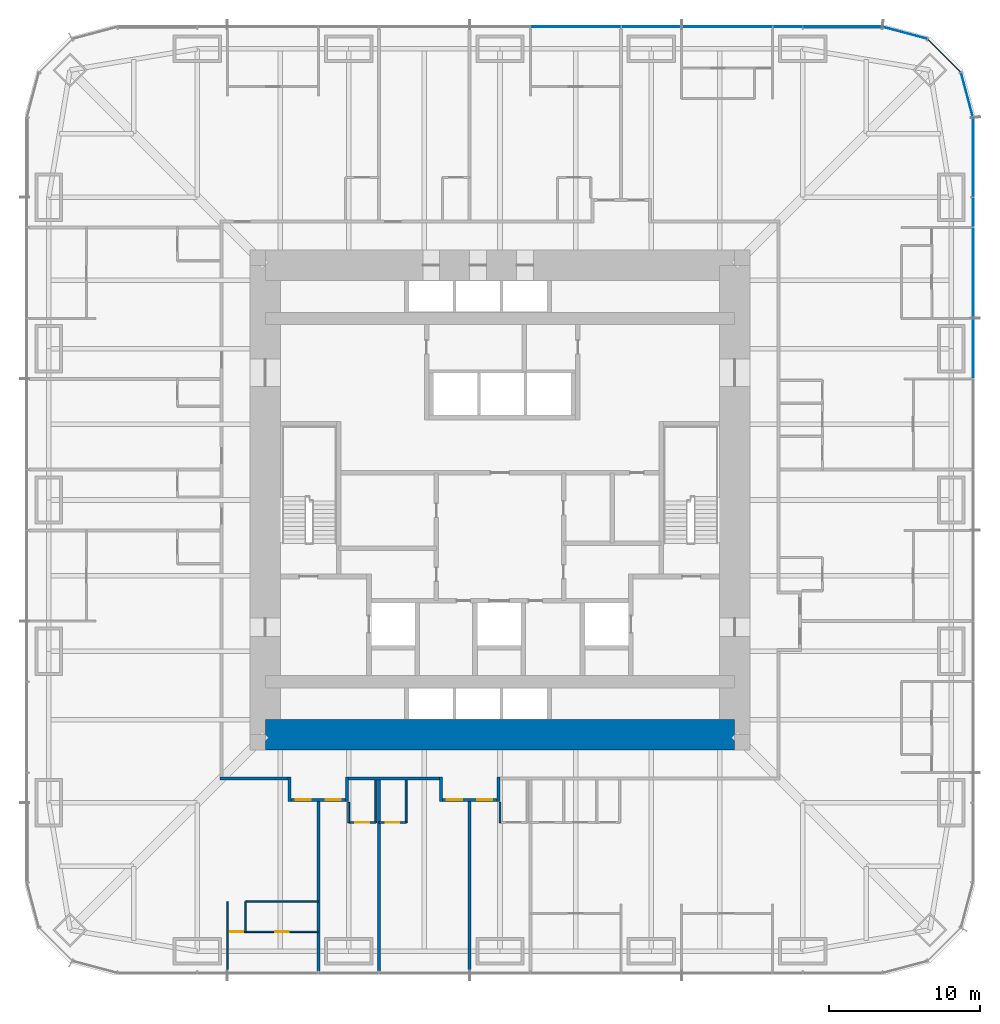
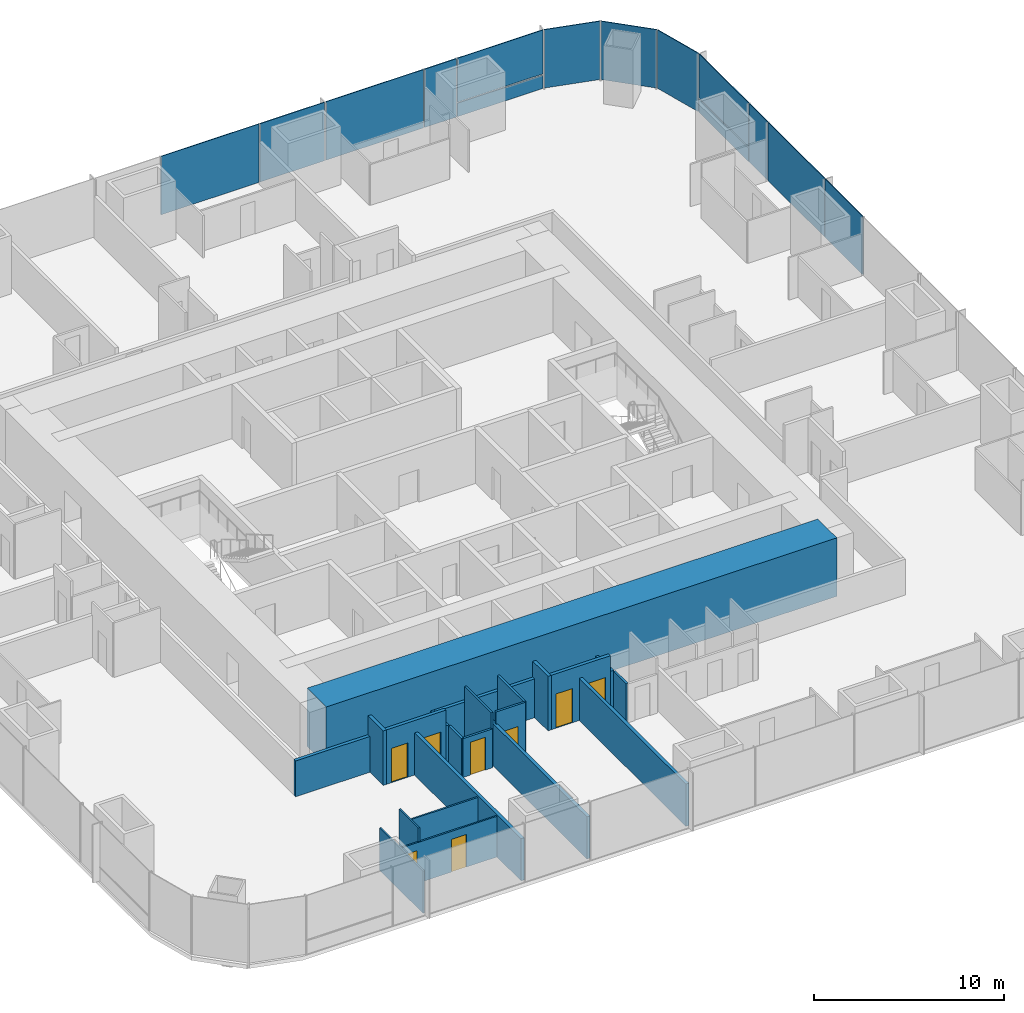
# One storey, part 11 of 16: 22 walls, 14 plates, 8 doors, 8 openings, 3 elements without a shape of their own.
"""IFC4 building model written with IfcOpenShell, lengths in metres."""

from ifc_helpers import new_model, si_unit, direction, frame, frame_2d, origin, origin_2d, place, context, subcontext, project, spatial, rectangle, extrude, material, layer, layer_set, type_object, element, fill, aggregate, save


model = new_model("IFC4")

# Units and contexts
model_context = context("Model", 3, precision=1e-05, world=origin(), true_north=direction((0.0, 1.0)))
body_context = subcontext(model_context, "Body", "Model", "MODEL_VIEW")
ifc_project = project(units=[si_unit("LENGTHUNIT", "METRE"), si_unit("AREAUNIT", "SQUARE_METRE"), si_unit("VOLUMEUNIT", "CUBIC_METRE"), si_unit("PLANEANGLEUNIT", "RADIAN"), si_unit("MASSUNIT", "GRAM", prefix="KILO")], contexts=[model_context])

# Site, building, storey
site_placement = place(None, origin())
site = spatial("IfcSite", under=ifc_project, at=site_placement, CompositionType="ELEMENT")
building_placement = place(site_placement, origin())
building = spatial("IfcBuilding", under=site, at=building_placement, Name="Khuree Lantern Residences", CompositionType="ELEMENT")
storey_placement = place(building_placement, frame((0.0, 0.0, 66.0)))
storey = spatial("IfcBuildingStorey", under=building, at=storey_placement, Name="L16", CompositionType="ELEMENT", Elevation=66.0)

# Curtain wall, plates
ifc_material_1 = material(Name="Bronze anodised aluminium", Category="aluminium")
curtain_wall_type_1 = type_object("IfcCurtainWallType", Name="CW-T2 TOWER CORNER CURTAIN WALL", PredefinedType="USERDEFINED", material=ifc_material_1)
curtain_wall_1_placement = place(storey_placement, origin())
curtain_wall_1 = element("IfcCurtainWall", 1, at=curtain_wall_1_placement, inside=storey, type_object=curtain_wall_type_1, Name="L16 NORTH-EAST CORNER CURTAIN WALL", ObjectType="Faceted corner curtain wall", PredefinedType="USERDEFINED")
ifc_material_2 = material(Name="Bronze tinted triple glazing", Category="glass")
ifc_layer_1 = layer(ifc_material_2, 0.048095703125)
ifc_layer_set_1 = layer_set([ifc_layer_1], Name="FACET PANEL P4")
plate_type_1 = type_object("IfcPlateType", Name="FACET PANEL P4", PredefinedType="CURTAIN_PANEL", material=ifc_layer_set_1)
plate_1_placement = place(storey_placement, frame((30.8486328125, 26.748046875, 0.0), z_axis=(0.0, 0.0, 1.0), x_axis=(-0.258819172081, 0.965925792265, 0.0)))
plate_1 = element("IfcPlate", 2, at=plate_1_placement, type_object=plate_type_1, Name="L16 NORTH-EAST CORNER PANEL 15.1", PredefinedType="CURTAIN_PANEL", context=body_context, shape_type="SweptSolid", body=[
    extrude(rectangle(XDim=3.02978515625, YDim=0.048095703125, at=origin_2d()), origin(), (0.0, 0.0, 1.0), 3.75),
])
plate_2_placement = place(storey_placement, frame((29.34814453125, 29.34814453125, 0.0), z_axis=(0.0, 0.0, 1.0), x_axis=(-0.707106781187, 0.707106781187, 0.0)))
plate_2 = element("IfcPlate", 3, at=plate_2_placement, type_object=plate_type_1, Name="L16 NORTH-EAST CORNER PANEL 16.1", PredefinedType="CURTAIN_PANEL", context=body_context, shape_type="SweptSolid", body=[
    extrude(rectangle(XDim=3.025634765625, YDim=0.048095703125, at=origin_2d()), origin(), (0.0, 0.0, 1.0), 3.75),
])
plate_3_placement = place(storey_placement, frame((26.748046875, 30.8486328125, 0.0), z_axis=(0.0, 0.0, 1.0), x_axis=(-0.965925792265, 0.258819172081, 0.0)))
plate_3 = element("IfcPlate", 4, at=plate_3_placement, type_object=plate_type_1, Name="L16 NORTH-EAST CORNER PANEL 17.1", PredefinedType="CURTAIN_PANEL", context=body_context, shape_type="SweptSolid", body=[
    extrude(rectangle(XDim=3.02978515625, YDim=0.048095703125, at=origin_2d()), origin(), (0.0, 0.0, 1.0), 3.75),
])
aggregate(curtain_wall_1, [plate_1, plate_2, plate_3])

# Curtain wall, plate
curtain_wall_type_2 = type_object("IfcCurtainWallType", Name="CW-T1 TOWER FACE CURTAIN WALL", PredefinedType="USERDEFINED", material=ifc_material_1)
curtain_wall_2_placement = place(storey_placement, origin())
curtain_wall_2 = element("IfcCurtainWall", 5, at=curtain_wall_2_placement, inside=storey, type_object=curtain_wall_type_2, Name="L16 EAST FACE CURTAIN WALL", ObjectType="Stick-built curtain wall", PredefinedType="USERDEFINED")
ifc_material_3 = material(Name="Bronze tinted triple glazing with a ceramic-fritted spandrel band", Category="glass")
ifc_layer_2 = layer(ifc_material_3, 0.048095703125)
ifc_layer_set_2 = layer_set([ifc_layer_2], Name="FIXED LIGHT PANEL P11")
plate_type_2 = type_object("IfcPlateType", Name="FIXED LIGHT PANEL P11", PredefinedType="CURTAIN_PANEL", material=ifc_layer_set_2)
plate_4_placement = place(storey_placement, frame((31.25, 15.0, 0.0), z_axis=(0.0, 0.0, 1.0), x_axis=(0.0, 1.0, 0.0)))
plate_4 = element("IfcPlate", 6, at=plate_4_placement, type_object=plate_type_2, Name="L16 EAST FACE PANEL 12.1", PredefinedType="CURTAIN_PANEL", context=body_context, shape_type="SweptSolid", body=[
    extrude(rectangle(XDim=5.93505859375, YDim=0.048095703125, at=origin_2d()), origin(), (0.0, 0.0, 1.0), 3.75),
])

# Curtain wall, plates
curtain_wall_3_placement = place(storey_placement, origin())
curtain_wall_3 = element("IfcCurtainWall", 7, at=curtain_wall_3_placement, inside=storey, type_object=curtain_wall_type_2, Name="L16 NORTH FACE CURTAIN WALL", ObjectType="Stick-built curtain wall", PredefinedType="USERDEFINED")
plate_5_placement = place(storey_placement, frame((15.0, 31.25, 0.0), z_axis=(0.0, 0.0, 1.0), x_axis=(-1.0, 0.0, 0.0)))
plate_5 = element("IfcPlate", 8, at=plate_5_placement, type_object=plate_type_2, Name="L16 NORTH FACE PANEL 20.1", PredefinedType="CURTAIN_PANEL", context=body_context, shape_type="SweptSolid", body=[
    extrude(rectangle(XDim=5.93505859375, YDim=0.048095703125, at=origin_2d()), origin(), (0.0, 0.0, 1.0), 3.75),
])
plate_6_placement = place(storey_placement, frame((5.0, 31.25, 0.0), z_axis=(0.0, 0.0, 1.0), x_axis=(-1.0, 0.0, 0.0)))
plate_6 = element("IfcPlate", 9, at=plate_6_placement, type_object=plate_type_2, Name="L16 NORTH FACE PANEL 22.1", PredefinedType="CURTAIN_PANEL", context=body_context, shape_type="SweptSolid", body=[
    extrude(rectangle(XDim=5.93505859375, YDim=0.048095703125, at=origin_2d()), origin(), (0.0, 0.0, 1.0), 3.75),
])

# Plate
ifc_material_4 = material(Name="Bronze tinted triple glazing, two aluminium-framed sashes in one frame", Category="aluminium")
ifc_layer_3 = layer(ifc_material_4, 0.048095703125)
ifc_layer_set_3 = layer_set([ifc_layer_3], Name="SASH PAIR PANEL P12")
plate_type_3 = type_object("IfcPlateType", Name="SASH PAIR PANEL P12", PredefinedType="CURTAIN_PANEL", material=ifc_layer_set_3)
plate_7_placement = place(storey_placement, frame((31.25, 10.0, 0.0), z_axis=(0.0, 0.0, 1.0), x_axis=(0.0, 1.0, 0.0)))
plate_7 = element("IfcPlate", 10, at=plate_7_placement, type_object=plate_type_3, Name="L16 EAST FACE PANEL 11.1", PredefinedType="CURTAIN_PANEL", context=body_context, shape_type="SweptSolid", body=[
    extrude(rectangle(XDim=3.93505859375, YDim=0.048095703125, at=origin_2d()), origin(), (0.0, 0.0, 1.0), 3.75),
])

plate_8_placement = place(storey_placement, frame((10.0, 31.25, 0.0), z_axis=(0.0, 0.0, 1.0), x_axis=(-1.0, 0.0, 0.0)))
plate_8 = element("IfcPlate", 11, at=plate_8_placement, type_object=plate_type_3, Name="L16 NORTH FACE PANEL 21.1", PredefinedType="CURTAIN_PANEL", context=body_context, shape_type="SweptSolid", body=[
    extrude(rectangle(XDim=3.93505859375, YDim=0.048095703125, at=origin_2d()), origin(), (0.0, 0.0, 1.0), 3.75),
])

ifc_material_5 = material(Name="Bronze tinted triple glazing, aluminium-framed sash", Category="aluminium")
ifc_layer_4 = layer(ifc_material_5, 0.048095703125)
ifc_layer_set_4 = layer_set([ifc_layer_4], Name="SASH PANEL P3")
plate_type_4 = type_object("IfcPlateType", Name="SASH PANEL P3", PredefinedType="CURTAIN_PANEL", material=ifc_layer_set_4)
plate_9_placement = place(storey_placement, frame((31.25, 19.0, 0.0), z_axis=(0.0, 0.0, 1.0), x_axis=(0.0, 1.0, 0.0)))
plate_9 = element("IfcPlate", 12, at=plate_9_placement, type_object=plate_type_4, Name="L16 EAST FACE PANEL 13.1", PredefinedType="CURTAIN_PANEL", context=body_context, shape_type="SweptSolid", body=[
    extrude(rectangle(XDim=1.93505859375, YDim=0.048095703125, at=origin_2d()), origin(), (0.0, 0.0, 1.0), 3.75),
])

plate_10_placement = place(storey_placement, frame((19.0, 31.25, 0.0), z_axis=(0.0, 0.0, 1.0), x_axis=(-1.0, 0.0, 0.0)))
plate_10 = element("IfcPlate", 13, at=plate_10_placement, type_object=plate_type_4, Name="L16 NORTH FACE PANEL 19.1", PredefinedType="CURTAIN_PANEL", context=body_context, shape_type="SweptSolid", body=[
    extrude(rectangle(XDim=1.93505859375, YDim=0.048095703125, at=origin_2d()), origin(), (0.0, 0.0, 1.0), 3.75),
])

ifc_material_6 = material(Name="Bronze anodised aluminium insulated spandrel", Category="aluminium")
ifc_layer_5 = layer(ifc_material_6, 0.06005859375)
ifc_layer_set_5 = layer_set([ifc_layer_5], Name="SPANDREL PANEL P2")
plate_type_5 = type_object("IfcPlateType", Name="SPANDREL PANEL P2", PredefinedType="CURTAIN_PANEL", material=ifc_layer_set_5)
plate_11_placement = place(storey_placement, frame((31.25, 22.622802734375, 0.0), z_axis=(0.0, 0.0, 1.0), x_axis=(0.0, 1.0, 0.0)))
plate_11 = element("IfcPlate", 14, at=plate_11_placement, type_object=plate_type_5, Name="L16 EAST FACE PANEL 14.1", PredefinedType="CURTAIN_PANEL", context=body_context, shape_type="SweptSolid", body=[
    extrude(rectangle(XDim=5.1806640625, YDim=0.06005859375, at=origin_2d()), origin(), (0.0, 0.0, 1.0), 0.867431640625),
])

plate_12_placement = place(storey_placement, frame((22.622802734375, 31.25, 0.0), z_axis=(0.0, 0.0, 1.0), x_axis=(-1.0, 0.0, 0.0)))
plate_12 = element("IfcPlate", 15, at=plate_12_placement, type_object=plate_type_5, Name="L16 NORTH FACE PANEL 18.1", PredefinedType="CURTAIN_PANEL", context=body_context, shape_type="SweptSolid", body=[
    extrude(rectangle(XDim=5.1806640625, YDim=0.06005859375, at=origin_2d()), origin(), (0.0, 0.0, 1.0), 0.867431640625),
])

ifc_layer_6 = layer(ifc_material_2, 0.048095703125)
ifc_layer_set_6 = layer_set([ifc_layer_6], Name="VISION PANEL P1")
plate_type_6 = type_object("IfcPlateType", Name="VISION PANEL P1", PredefinedType="CURTAIN_PANEL", material=ifc_layer_set_6)
plate_13_placement = place(storey_placement, frame((31.25, 22.623291015625, 0.9326171875), z_axis=(0.0, 0.0, 1.0), x_axis=(0.0, 1.0, 0.0)))
plate_13 = element("IfcPlate", 16, at=plate_13_placement, type_object=plate_type_6, Name="L16 EAST FACE PANEL 14.2", PredefinedType="CURTAIN_PANEL", context=body_context, shape_type="SweptSolid", body=[
    extrude(rectangle(XDim=5.181640625, YDim=0.048095703125, at=origin_2d()), origin(), (0.0, 0.0, 1.0), 2.8173828125),
])

aggregate(curtain_wall_2, [plate_7, plate_4, plate_9, plate_11, plate_13])

plate_14_placement = place(storey_placement, frame((22.623291015625, 31.25, 0.9326171875), z_axis=(0.0, 0.0, 1.0), x_axis=(-1.0, 0.0, 0.0)))
plate_14 = element("IfcPlate", 17, at=plate_14_placement, type_object=plate_type_6, Name="L16 NORTH FACE PANEL 18.2", PredefinedType="CURTAIN_PANEL", context=body_context, shape_type="SweptSolid", body=[
    extrude(rectangle(XDim=5.181640625, YDim=0.048095703125, at=origin_2d()), origin(), (0.0, 0.0, 1.0), 2.8173828125),
])

aggregate(curtain_wall_3, [plate_12, plate_14, plate_10, plate_5, plate_8, plate_6])

# Wall, opening, door
ifc_material_7 = material(Name="Moisture-resistant gypsum board on steel studs", Category="steel")
ifc_layer_7 = layer(ifc_material_7, 0.125)
ifc_layer_set_7 = layer_set([ifc_layer_7], Name="BATHROOM WALL BTW125")
wall_type_1 = type_object("IfcWallType", Name="BATHROOM WALL BTW125", PredefinedType="PARTITIONING", material=ifc_layer_set_7)
wall_1_placement = place(storey_placement, frame((-10.0, -21.300048828125, 0.0), z_axis=(0.0, 0.0, 1.0), x_axis=(1.0, 0.0, 0.0)))
wall_1 = element("IfcWall", 18, at=wall_1_placement, inside=storey, type_object=wall_type_1, Name="L16 BATHROOM WALL 10", PredefinedType="PARTITIONING", context=body_context, shape_type="SweptSolid", body=[
    extrude(rectangle(XDim=1.800048828125, YDim=0.125, at=frame_2d((0.89990234375, 0.0))), origin(), (0.0, 0.0, 1.0), 2.491943359375),
])
opening_1_placement = place(wall_1_placement, frame((0.449951171875, 0.0, 0.0)))
opening_1 = element("IfcOpeningElement", 19, at=opening_1_placement, cuts=wall_1, Name="Opening 16-055", PredefinedType="OPENING", context=body_context, shape_type="SweptSolid", body=[
    extrude(rectangle(XDim=0.89990234375, YDim=2.10009765625, at=frame_2d((0.449951171875, 1.050048828125))), frame((0.0, 0.072509765625, 0.0), z_axis=(0.0, -1.0, 0.0), x_axis=(1.0, 0.0, 0.0)), (0.0, 0.0, 1.0), 0.14501953125),
])
ifc_material_8 = material(Name="Timber door leaf in hardwood frame", Category="wood")
door_type_1 = type_object("IfcDoorType", Name="BATHROOM DOOR 900X2100", OperationType="SINGLE_SWING_LEFT", PredefinedType="DOOR", material=ifc_material_8)
door_1_placement = place(opening_1_placement, origin())
door_1 = element("IfcDoor", 20, at=door_1_placement, inside=storey, type_object=door_type_1, Name="Bathroom door 16-055", OperationType="SINGLE_SWING_LEFT", OverallHeight=2.10009765625, OverallWidth=0.89990234375, PredefinedType="DOOR", context=body_context, shape_type="SweptSolid", body=[
    extrude(rectangle(XDim=0.89990234375, YDim=2.10009765625, at=frame_2d((0.449951171875, 1.050048828125))), frame((0.0, 0.02490234375, 0.0), z_axis=(0.0, -1.0, 0.0), x_axis=(1.0, 0.0, 0.0)), (0.0, 0.0, 1.0), 0.050048828125),
])
fill(opening_1, door_1)

# Walls
wall_2_placement = place(storey_placement, frame((-10.0, -19.969970703125, 0.0), z_axis=(0.0, 0.0, 1.0), x_axis=(0.0, -1.0, 0.0)))
element("IfcWall", 21, at=wall_2_placement, inside=storey, type_object=wall_type_1, Name="L16 BATHROOM WALL 10", PredefinedType="PARTITIONING", context=body_context, shape_type="SweptSolid", body=[
    extrude(rectangle(XDim=1.330078125, YDim=0.125, at=frame_2d((0.6650390625, 0.0))), origin(), (0.0, 0.0, 1.0), 2.491943359375),
])
wall_3_placement = place(storey_placement, frame((-8.199951171875, -18.5, 0.0), z_axis=(0.0, 0.0, 1.0), x_axis=(0.0, -1.0, 0.0)))
element("IfcWall", 22, at=wall_3_placement, inside=storey, type_object=wall_type_1, Name="L16 BATHROOM WALL 10", PredefinedType="PARTITIONING", context=body_context, shape_type="SweptSolid", body=[
    extrude(rectangle(XDim=2.800048828125, YDim=0.125, at=frame_2d((1.39990234375, 0.0))), origin(), (0.0, 0.0, 1.0), 3.5),
])

# Wall, opening, door
wall_4_placement = place(storey_placement, frame((-8.0, -21.300048828125, 0.0), z_axis=(0.0, 0.0, 1.0), x_axis=(1.0, 0.0, 0.0)))
wall_4 = element("IfcWall", 23, at=wall_4_placement, inside=storey, type_object=wall_type_1, Name="L16 BATHROOM WALL 11", PredefinedType="PARTITIONING", context=body_context, shape_type="SweptSolid", body=[
    extrude(rectangle(XDim=1.800048828125, YDim=0.125, at=frame_2d((0.89990234375, 0.0))), origin(), (0.0, 0.0, 1.0), 3.5),
])
opening_2_placement = place(wall_4_placement, frame((0.449951171875, 0.0, 0.0)))
opening_2 = element("IfcOpeningElement", 24, at=opening_2_placement, cuts=wall_4, Name="Opening 16-057", PredefinedType="OPENING", context=body_context, shape_type="SweptSolid", body=[
    extrude(rectangle(XDim=0.89990234375, YDim=2.10009765625, at=frame_2d((0.449951171875, 1.050048828125))), frame((0.0, 0.072509765625, 0.0), z_axis=(0.0, -1.0, 0.0), x_axis=(1.0, 0.0, 0.0)), (0.0, 0.0, 1.0), 0.14501953125),
])
door_2_placement = place(opening_2_placement, origin())
door_2 = element("IfcDoor", 25, at=door_2_placement, inside=storey, type_object=door_type_1, Name="Bathroom door 16-057", OperationType="SINGLE_SWING_LEFT", OverallHeight=2.10009765625, OverallWidth=0.89990234375, PredefinedType="DOOR", context=body_context, shape_type="SweptSolid", body=[
    extrude(rectangle(XDim=0.89990234375, YDim=2.10009765625, at=frame_2d((0.449951171875, 1.050048828125))), frame((0.0, 0.02490234375, 0.0), z_axis=(0.0, -1.0, 0.0), x_axis=(1.0, 0.0, 0.0)), (0.0, 0.0, 1.0), 0.050048828125),
])
fill(opening_2, door_2)

# Walls
wall_5_placement = place(storey_placement, frame((-6.199951171875, -18.5, 0.0), z_axis=(0.0, 0.0, 1.0), x_axis=(0.0, -1.0, 0.0)))
element("IfcWall", 26, at=wall_5_placement, inside=storey, type_object=wall_type_1, Name="L16 BATHROOM WALL 11", PredefinedType="PARTITIONING", context=body_context, shape_type="SweptSolid", body=[
    extrude(rectangle(XDim=2.800048828125, YDim=0.125, at=frame_2d((1.39990234375, 0.0))), origin(), (0.0, 0.0, 1.0), 3.5),
])
wall_6_placement = place(storey_placement, frame((0.0, -19.969970703125, 0.0), z_axis=(0.0, 0.0, 1.0), x_axis=(0.0, -1.0, 0.0)))
element("IfcWall", 27, at=wall_6_placement, inside=storey, type_object=wall_type_1, Name="L16 BATHROOM WALL 12", PredefinedType="PARTITIONING", context=body_context, shape_type="SweptSolid", body=[
    extrude(rectangle(XDim=1.330078125, YDim=0.125, at=frame_2d((0.6650390625, 0.0))), origin(), (0.0, 0.0, 1.0), 2.491943359375),
])
ifc_material_9 = material(Name="Gypsum board on steel studs", Category="steel")
ifc_layer_8 = layer(ifc_material_9, 0.199951171875)
ifc_layer_set_8 = layer_set([ifc_layer_8], Name="CORRIDOR WALL CRW200 EI 60")
wall_type_2 = type_object("IfcWallType", Name="CORRIDOR WALL CRW200 EI 60", PredefinedType="PARTITIONING", material=ifc_layer_set_8)
wall_7_placement = place(storey_placement, frame((-0.10009765625, -18.300048828125, 0.0), z_axis=(0.0, 0.0, 1.0), x_axis=(0.0, -1.0, 0.0)))
element("IfcWall", 28, at=wall_7_placement, inside=storey, type_object=wall_type_2, Name="L16 CORRIDOR ALCOVE WALL SOUTH", PredefinedType="PARTITIONING", context=body_context, shape_type="SweptSolid", body=[
    extrude(rectangle(XDim=1.599853515625, YDim=0.199951171875, at=frame_2d((0.7998046875, 0.0))), origin(), (0.0, 0.0, 1.0), 2.491943359375),
])
wall_8_placement = place(storey_placement, frame((-3.89990234375, -18.300048828125, 0.0), z_axis=(0.0, 0.0, 1.0), x_axis=(0.0, -1.0, 0.0)))
element("IfcWall", 29, at=wall_8_placement, inside=storey, type_object=wall_type_2, Name="L16 CORRIDOR ALCOVE WALL SOUTH", PredefinedType="PARTITIONING", context=body_context, shape_type="SweptSolid", body=[
    extrude(rectangle(XDim=1.599853515625, YDim=0.199951171875, at=frame_2d((0.7998046875, 0.0))), origin(), (0.0, 0.0, 1.0), 3.5),
])

# Wall, openings, doors
wall_9_placement = place(storey_placement, frame((-0.199951171875, -19.800048828125, 0.0), z_axis=(0.0, 0.0, 1.0), x_axis=(-1.0, 0.0, 0.0)))
wall_9 = element("IfcWall", 30, at=wall_9_placement, inside=storey, type_object=wall_type_2, Name="L16 CORRIDOR ALCOVE WALL SOUTH", PredefinedType="PARTITIONING", context=body_context, shape_type="SweptSolid", body=[
    extrude(rectangle(XDim=3.60009765625, YDim=0.199951171875, at=frame_2d((1.800048828125, 0.0))), origin(), (0.0, 0.0, 1.0), 3.5),
])
opening_3_placement = place(wall_9_placement, frame((2.300048828125, 0.0, 0.0)))
opening_3 = element("IfcOpeningElement", 31, at=opening_3_placement, cuts=wall_9, Name="Opening 16-058", PredefinedType="OPENING", context=body_context, shape_type="SweptSolid", body=[
    extrude(rectangle(XDim=1.0, YDim=2.199951171875, at=frame_2d((0.5, 1.10009765625))), frame((0.0, 0.10986328125, 0.0), z_axis=(0.0, -1.0, 0.0), x_axis=(1.0, 0.0, 0.0)), (0.0, 0.0, 1.0), 0.219970703125),
])
opening_4_placement = place(wall_9_placement, frame((0.300048828125, 0.0, 0.0)))
opening_4 = element("IfcOpeningElement", 32, at=opening_4_placement, cuts=wall_9, Name="Opening 16-060", PredefinedType="OPENING", context=body_context, shape_type="SweptSolid", body=[
    extrude(rectangle(XDim=1.0, YDim=2.199951171875, at=frame_2d((0.5, 1.10009765625))), frame((0.0, 0.10986328125, 0.0), z_axis=(0.0, -1.0, 0.0), x_axis=(1.0, 0.0, 0.0)), (0.0, 0.0, 1.0), 0.219970703125),
])
door_type_2 = type_object("IfcDoorType", Name="APARTMENT ENTRANCE DOOR 1000X2200 EI 30S", OperationType="SINGLE_SWING_LEFT", PredefinedType="DOOR", material=ifc_material_8)
door_3_placement = place(opening_3_placement, origin())
door_3 = element("IfcDoor", 33, at=door_3_placement, inside=storey, type_object=door_type_2, Name="Apartment 11 entrance door 16-058", OperationType="SINGLE_SWING_LEFT", OverallHeight=2.199951171875, OverallWidth=1.0, PredefinedType="DOOR", context=body_context, shape_type="SweptSolid", body=[
    extrude(rectangle(XDim=1.0, YDim=2.199951171875, at=frame_2d((0.5, 1.10009765625))), frame((0.0, 0.02490234375, 0.0), z_axis=(0.0, -1.0, 0.0), x_axis=(1.0, 0.0, 0.0)), (0.0, 0.0, 1.0), 0.050048828125),
])
fill(opening_3, door_3)
door_4_placement = place(opening_4_placement, origin())
door_4 = element("IfcDoor", 34, at=door_4_placement, inside=storey, type_object=door_type_2, Name="Apartment 12 entrance door 16-060", OperationType="SINGLE_SWING_LEFT", OverallHeight=2.199951171875, OverallWidth=1.0, PredefinedType="DOOR", context=body_context, shape_type="SweptSolid", body=[
    extrude(rectangle(XDim=1.0, YDim=2.199951171875, at=frame_2d((0.5, 1.10009765625))), frame((0.0, 0.02490234375, 0.0), z_axis=(0.0, -1.0, 0.0), x_axis=(1.0, 0.0, 0.0)), (0.0, 0.0, 1.0), 0.050048828125),
])
fill(opening_4, door_4)

# Walls
wall_10_placement = place(storey_placement, frame((-4.0, -18.39990234375, 0.0), z_axis=(0.0, 0.0, 1.0), x_axis=(-1.0, 0.0, 0.0)))
element("IfcWall", 35, at=wall_10_placement, inside=storey, type_object=wall_type_2, Name="L16 CORRIDOR WALL SOUTH 2", PredefinedType="PARTITIONING", context=body_context, shape_type="SweptSolid", body=[
    extrude(rectangle(XDim=6.0, YDim=0.199951171875, at=frame_2d((3.0, 0.0))), origin(), (0.0, 0.0, 1.0), 2.491943359375),
])
wall_11_placement = place(storey_placement, frame((-10.10009765625, -18.300048828125, 0.0), z_axis=(0.0, 0.0, 1.0), x_axis=(0.0, -1.0, 0.0)))
element("IfcWall", 36, at=wall_11_placement, inside=storey, type_object=wall_type_2, Name="L16 CORRIDOR ALCOVE WALL SOUTH", PredefinedType="PARTITIONING", context=body_context, shape_type="SweptSolid", body=[
    extrude(rectangle(XDim=1.599853515625, YDim=0.199951171875, at=frame_2d((0.7998046875, 0.0))), origin(), (0.0, 0.0, 1.0), 2.491943359375),
])
wall_12_placement = place(storey_placement, frame((-13.89990234375, -18.300048828125, 0.0), z_axis=(0.0, 0.0, 1.0), x_axis=(0.0, -1.0, 0.0)))
element("IfcWall", 37, at=wall_12_placement, inside=storey, type_object=wall_type_2, Name="L16 CORRIDOR ALCOVE WALL SOUTH", PredefinedType="PARTITIONING", context=body_context, shape_type="SweptSolid", body=[
    extrude(rectangle(XDim=1.599853515625, YDim=0.199951171875, at=frame_2d((0.7998046875, 0.0))), origin(), (0.0, 0.0, 1.0), 3.5),
])

# Wall, openings, doors
wall_13_placement = place(storey_placement, frame((-10.199951171875, -19.800048828125, 0.0), z_axis=(0.0, 0.0, 1.0), x_axis=(-1.0, 0.0, 0.0)))
wall_13 = element("IfcWall", 38, at=wall_13_placement, inside=storey, type_object=wall_type_2, Name="L16 CORRIDOR ALCOVE WALL SOUTH", PredefinedType="PARTITIONING", context=body_context, shape_type="SweptSolid", body=[
    extrude(rectangle(XDim=3.60009765625, YDim=0.199951171875, at=frame_2d((1.800048828125, 0.0))), origin(), (0.0, 0.0, 1.0), 3.5),
])
opening_5_placement = place(wall_13_placement, frame((2.300048828125, 0.0, 0.0)))
opening_5 = element("IfcOpeningElement", 39, at=opening_5_placement, cuts=wall_13, Name="Opening 16-054", PredefinedType="OPENING", context=body_context, shape_type="SweptSolid", body=[
    extrude(rectangle(XDim=1.0, YDim=2.199951171875, at=frame_2d((0.5, 1.10009765625))), frame((0.0, 0.10986328125, 0.0), z_axis=(0.0, -1.0, 0.0), x_axis=(1.0, 0.0, 0.0)), (0.0, 0.0, 1.0), 0.219970703125),
])
opening_6_placement = place(wall_13_placement, frame((0.300048828125, 0.0, 0.0)))
opening_6 = element("IfcOpeningElement", 40, at=opening_6_placement, cuts=wall_13, Name="Opening 16-056", PredefinedType="OPENING", context=body_context, shape_type="SweptSolid", body=[
    extrude(rectangle(XDim=1.0, YDim=2.199951171875, at=frame_2d((0.5, 1.10009765625))), frame((0.0, 0.10986328125, 0.0), z_axis=(0.0, -1.0, 0.0), x_axis=(1.0, 0.0, 0.0)), (0.0, 0.0, 1.0), 0.219970703125),
])
door_5_placement = place(opening_5_placement, origin())
door_5 = element("IfcDoor", 41, at=door_5_placement, inside=storey, type_object=door_type_2, Name="Apartment 09 entrance door 16-054", OperationType="SINGLE_SWING_LEFT", OverallHeight=2.199951171875, OverallWidth=1.0, PredefinedType="DOOR", context=body_context, shape_type="SweptSolid", body=[
    extrude(rectangle(XDim=1.0, YDim=2.199951171875, at=frame_2d((0.5, 1.10009765625))), frame((0.0, 0.02490234375, 0.0), z_axis=(0.0, -1.0, 0.0), x_axis=(1.0, 0.0, 0.0)), (0.0, 0.0, 1.0), 0.050048828125),
])
fill(opening_5, door_5)
door_6_placement = place(opening_6_placement, origin())
door_6 = element("IfcDoor", 42, at=door_6_placement, inside=storey, type_object=door_type_2, Name="Apartment 10 entrance door 16-056", OperationType="SINGLE_SWING_LEFT", OverallHeight=2.199951171875, OverallWidth=1.0, PredefinedType="DOOR", context=body_context, shape_type="SweptSolid", body=[
    extrude(rectangle(XDim=1.0, YDim=2.199951171875, at=frame_2d((0.5, 1.10009765625))), frame((0.0, 0.02490234375, 0.0), z_axis=(0.0, -1.0, 0.0), x_axis=(1.0, 0.0, 0.0)), (0.0, 0.0, 1.0), 0.050048828125),
])
fill(opening_6, door_6)

# Walls
wall_14_placement = place(storey_placement, frame((-14.0, -18.39990234375, 0.0), z_axis=(0.0, 0.0, 1.0), x_axis=(-1.0, 0.0, 0.0)))
element("IfcWall", 43, at=wall_14_placement, inside=storey, type_object=wall_type_2, Name="L16 CORRIDOR WALL SOUTH 3", PredefinedType="PARTITIONING", context=body_context, shape_type="SweptSolid", body=[
    extrude(rectangle(XDim=4.5, YDim=0.199951171875, at=frame_2d((2.25, 0.0))), origin(), (0.0, 0.0, 1.0), 2.300048828125),
])
ifc_material_10 = material(Name="Concrete C70/85", Category="concrete")
ifc_layer_9 = layer(ifc_material_10, 2.0)
ifc_layer_set_9 = layer_set([ifc_layer_9], Name="CW2000-C70 CORE WALL C70 2000")
wall_type_3 = type_object("IfcWallType", Name="CW2000-C70 CORE WALL C70 2000", PredefinedType="SHEAR", material=ifc_layer_set_9)
wall_15_placement = place(storey_placement, frame((-15.5, -15.5, -0.25), z_axis=(0.0, 0.0, 1.0), x_axis=(1.0, 0.0, 0.0)))
element("IfcWall", 44, at=wall_15_placement, inside=storey, type_object=wall_type_3, Name="Core wall S", PredefinedType="SHEAR", context=body_context, shape_type="SweptSolid", body=[
    extrude(rectangle(XDim=31.0, YDim=2.0, at=frame_2d((15.5, 0.0))), origin(), (0.0, 0.0, 1.0), 3.75),
])
ifc_layer_10 = layer(ifc_material_9, 0.199951171875)
ifc_layer_set_10 = layer_set([ifc_layer_10], Name="DEMISING WALL DMW200 EI 90")
wall_type_4 = type_object("IfcWallType", Name="DEMISING WALL DMW200 EI 90", PredefinedType="PARTITIONING", material=ifc_layer_set_10)
wall_16_placement = place(storey_placement, frame((-12.0, -19.89990234375, 0.0), z_axis=(0.0, 0.0, 1.0), x_axis=(0.0, -1.0, 0.0)))
element("IfcWall", 45, at=wall_16_placement, inside=storey, type_object=wall_type_4, Name="L16 DEMISING WALL 10", PredefinedType="PARTITIONING", context=body_context, shape_type="SweptSolid", body=[
    extrude(rectangle(XDim=11.2001953125, YDim=0.199951171875, at=frame_2d((5.60009765625, 0.0))), origin(), (0.0, 0.0, 1.0), 2.7099609375),
])
wall_17_placement = place(storey_placement, frame((-8.0, -18.5, 0.0), z_axis=(0.0, 0.0, 1.0), x_axis=(0.0, -1.0, 0.0)))
element("IfcWall", 46, at=wall_17_placement, inside=storey, type_object=wall_type_4, Name="L16 DEMISING WALL 11", PredefinedType="PARTITIONING", context=body_context, shape_type="SweptSolid", body=[
    extrude(rectangle(XDim=12.60009765625, YDim=0.199951171875, at=frame_2d((6.300048828125, 0.0))), origin(), (0.0, 0.0, 1.0), 2.7099609375),
])
wall_18_placement = place(storey_placement, frame((-2.0, -19.89990234375, 0.0), z_axis=(0.0, 0.0, 1.0), x_axis=(0.0, -1.0, 0.0)))
element("IfcWall", 47, at=wall_18_placement, inside=storey, type_object=wall_type_4, Name="L16 DEMISING WALL 12", PredefinedType="PARTITIONING", context=body_context, shape_type="SweptSolid", body=[
    extrude(rectangle(XDim=11.2001953125, YDim=0.199951171875, at=frame_2d((5.60009765625, 0.0))), origin(), (0.0, 0.0, 1.0), 2.7099609375),
])
ifc_layer_11 = layer(ifc_material_9, 0.10009765625)
ifc_layer_set_11 = layer_set([ifc_layer_11], Name="PARTITION PT100")
wall_type_5 = type_object("IfcWallType", Name="PARTITION PT100", PredefinedType="PARTITIONING", material=ifc_layer_set_11)
wall_19_placement = place(storey_placement, frame((-18.0, -26.5166015625, 0.0), z_axis=(0.0, 0.0, 1.0), x_axis=(0.0, -1.0, 0.0)))
element("IfcWall", 48, at=wall_19_placement, inside=storey, type_object=wall_type_5, Name="L16 PARTITION 09", PredefinedType="PARTITIONING", context=body_context, shape_type="SweptSolid", body=[
    extrude(rectangle(XDim=4.58349609375, YDim=0.10009765625, at=frame_2d((2.291748046875, 0.0))), origin(), (0.0, 0.0, 1.0), 2.7099609375),
])

# Wall, openings, doors
wall_20_placement = place(storey_placement, frame((-18.0, -28.5166015625, 0.0), z_axis=(0.0, 0.0, 1.0), x_axis=(1.0, 0.0, 0.0)))
wall_20 = element("IfcWall", 49, at=wall_20_placement, inside=storey, type_object=wall_type_5, Name="L16 PARTITION 09", PredefinedType="PARTITIONING", context=body_context, shape_type="SweptSolid", body=[
    extrude(rectangle(XDim=6.0, YDim=0.10009765625, at=frame_2d((3.0, 0.0))), origin(), (0.0, 0.0, 1.0), 2.610107421875),
])
opening_7_placement = place(wall_20_placement, frame((0.14990234375, 0.0, 0.0)))
opening_7 = element("IfcOpeningElement", 50, at=opening_7_placement, cuts=wall_20, Name="Opening 16-051", PredefinedType="OPENING", context=body_context, shape_type="SweptSolid", body=[
    extrude(rectangle(XDim=0.89990234375, YDim=2.10009765625, at=frame_2d((0.449951171875, 1.050048828125))), frame((0.0, 0.06005859375, 0.0), z_axis=(0.0, -1.0, 0.0), x_axis=(1.0, 0.0, 0.0)), (0.0, 0.0, 1.0), 0.1201171875),
])
opening_8_placement = place(wall_20_placement, frame((3.14990234375, 0.0, 0.0)))
opening_8 = element("IfcOpeningElement", 51, at=opening_8_placement, cuts=wall_20, Name="Opening 16-052", PredefinedType="OPENING", context=body_context, shape_type="SweptSolid", body=[
    extrude(rectangle(XDim=0.89990234375, YDim=2.10009765625, at=frame_2d((0.449951171875, 1.050048828125))), frame((0.0, 0.06005859375, 0.0), z_axis=(0.0, -1.0, 0.0), x_axis=(1.0, 0.0, 0.0)), (0.0, 0.0, 1.0), 0.1201171875),
])
door_type_3 = type_object("IfcDoorType", Name="BEDROOM DOOR 900X2100", OperationType="SINGLE_SWING_LEFT", PredefinedType="DOOR", material=ifc_material_8)
door_7_placement = place(opening_7_placement, origin())
door_7 = element("IfcDoor", 52, at=door_7_placement, inside=storey, type_object=door_type_3, Name="Bedroom door 16-051", OperationType="SINGLE_SWING_LEFT", OverallHeight=2.10009765625, OverallWidth=0.89990234375, PredefinedType="DOOR", context=body_context, shape_type="SweptSolid", body=[
    extrude(rectangle(XDim=0.89990234375, YDim=2.10009765625, at=frame_2d((0.449951171875, 1.050048828125))), frame((0.0, 0.02490234375, 0.0), z_axis=(0.0, -1.0, 0.0), x_axis=(1.0, 0.0, 0.0)), (0.0, 0.0, 1.0), 0.050048828125),
])
fill(opening_7, door_7)
door_type_4 = type_object("IfcDoorType", Name="DOOR 900X2100", OperationType="SINGLE_SWING_LEFT", PredefinedType="DOOR", material=ifc_material_8)
door_8_placement = place(opening_8_placement, origin())
door_8 = element("IfcDoor", 53, at=door_8_placement, inside=storey, type_object=door_type_4, Name="Wardrobe door 16-052", OperationType="SINGLE_SWING_LEFT", OverallHeight=2.10009765625, OverallWidth=0.89990234375, PredefinedType="DOOR", context=body_context, shape_type="SweptSolid", body=[
    extrude(rectangle(XDim=0.89990234375, YDim=2.10009765625, at=frame_2d((0.449951171875, 1.050048828125))), frame((0.0, 0.02490234375, 0.0), z_axis=(0.0, -1.0, 0.0), x_axis=(1.0, 0.0, 0.0)), (0.0, 0.0, 1.0), 0.050048828125),
])
fill(opening_8, door_8)

# Walls
wall_21_placement = place(storey_placement, frame((-16.800048828125, -26.5166015625, 0.0), z_axis=(0.0, 0.0, 1.0), x_axis=(0.0, -1.0, 0.0)))
element("IfcWall", 54, at=wall_21_placement, inside=storey, type_object=wall_type_5, Name="L16 PARTITION 09", PredefinedType="PARTITIONING", context=body_context, shape_type="SweptSolid", body=[
    extrude(rectangle(XDim=2.0, YDim=0.10009765625, at=frame_2d((1.0, 0.0))), origin(), (0.0, 0.0, 1.0), 3.5),
])
wall_22_placement = place(storey_placement, frame((-16.800048828125, -26.5166015625, 0.0), z_axis=(0.0, 0.0, 1.0), x_axis=(1.0, 0.0, 0.0)))
element("IfcWall", 55, at=wall_22_placement, inside=storey, type_object=wall_type_5, Name="L16 PARTITION 09", PredefinedType="PARTITIONING", context=body_context, shape_type="SweptSolid", body=[
    extrude(rectangle(XDim=4.800048828125, YDim=0.10009765625, at=frame_2d((2.39990234375, 0.0))), origin(), (0.0, 0.0, 1.0), 2.610107421875),
])

save(model, "model.ifc")
